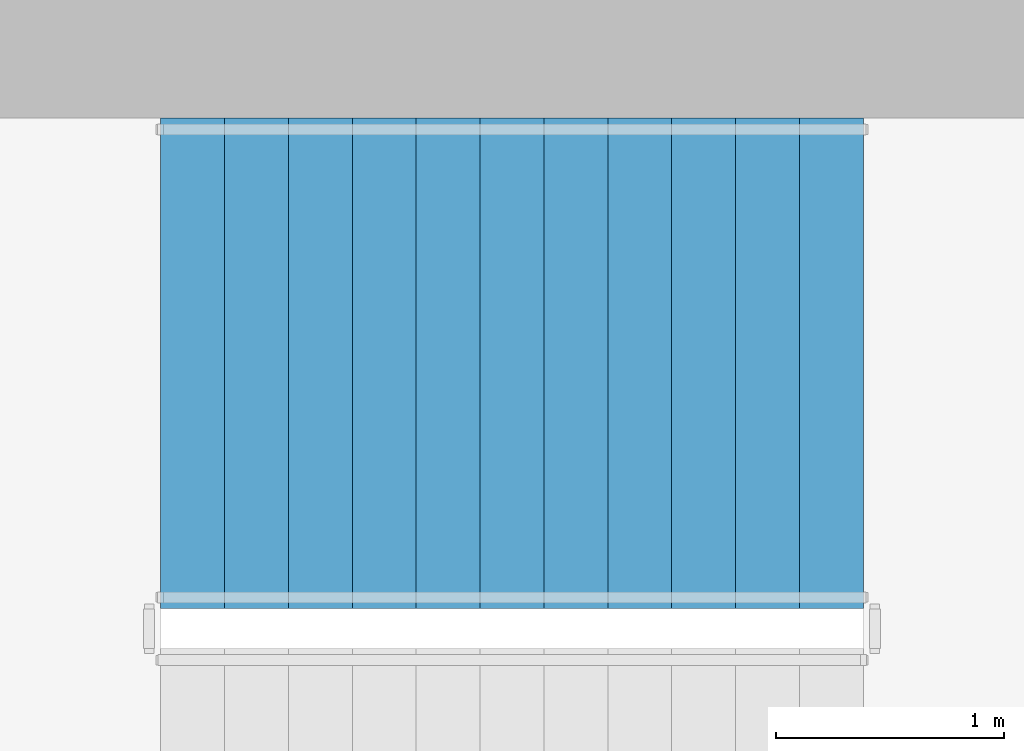
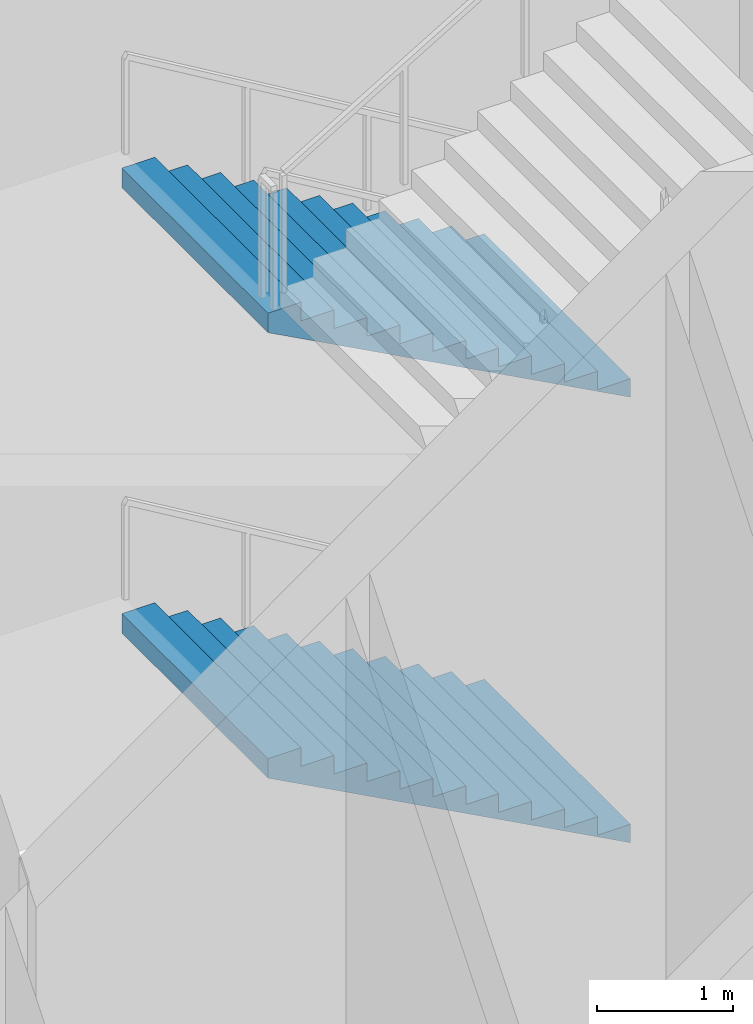
# One storey, part 10 of 14: 2 stair flights, 1 element without a shape of its own.
"""IFC4 building model written with IfcOpenShell, lengths in metres."""

import ifcopenshell
import ifcopenshell.guid

model = None  # the IFC model being written
_history = None  # IfcOwnerHistory: only IFC2X3 demands one
_inside = {}  # id of a spatial element -> (the spatial element, [elements in it])
_under = {}  # id of a project, library or spatial element -> (it, [spatial elements below it])
_declared = {}  # id of a project -> (the project, [libraries it declares])
_typed = {}  # id of a type object -> (the type object, [elements of that type])
_made_of = {}  # id of a material, layer set ... -> (it, [elements and type objects made of it])


def new_model(schema):
    """Start an empty IFC model of exactly this schema.

    Asked for "IFC4X3", IfcOpenShell would pick the latest addendum, in which some entities
    have other attributes; the version numbers below select the first issue.
    IFC2X3 requires an IfcOwnerHistory on every rooted entity: one is made here for all.
    """
    global model, _history
    if schema == "IFC4X3":
        model = ifcopenshell.file(schema_version=(4, 3, 0, 0))
    else:
        model = ifcopenshell.file(schema=schema)
    _inside.clear()
    _under.clear()
    _declared.clear()
    _typed.clear()
    _made_of.clear()
    _history = None
    if model.schema == "IFC2X3":
        org = make("IfcOrganization", Name="unknown")
        user = make(
            "IfcPersonAndOrganization",
            ThePerson=make("IfcPerson", FamilyName="unknown"),
            TheOrganization=org,
        )
        app = make(
            "IfcApplication",
            ApplicationDeveloper=org,
            Version="unknown",
            ApplicationFullName="unknown",
            ApplicationIdentifier="unknown",
        )
        _history = make(
            "IfcOwnerHistory",
            OwningUser=user,
            OwningApplication=app,
            ChangeAction="ADDED",
            CreationDate=0,
        )
    return model


def make(cls, **values):
    """One entity of the class cls with the attributes given. An attribute that is None is left unset."""
    return model.create_entity(
        cls, **{name: value for name, value in values.items() if value is not None}
    )


def rooted(cls, **values):
    """An entity with a GlobalId (a new one), such as an element, a storey or a relation."""
    return make(cls, GlobalId=ifcopenshell.guid.new(), OwnerHistory=_history, **values)


def si_unit(unit_type, name, prefix=None):
    """IfcSIUnit, for example si_unit("LENGTHUNIT", "METRE", prefix="MILLI")."""
    return make("IfcSIUnit", UnitType=unit_type, Prefix=prefix, Name=name)


def assignment(units):
    """IfcUnitAssignment: the units of a project."""
    return None if units is None else make("IfcUnitAssignment", Units=units)


def point(xyz):
    """IfcCartesianPoint."""
    return None if xyz is None else make("IfcCartesianPoint", Coordinates=xyz)


def direction(xyz):
    """IfcDirection."""
    return None if xyz is None else make("IfcDirection", DirectionRatios=xyz)


def frame(location, z_axis=None, x_axis=None):
    """IfcAxis2Placement3D, a coordinate frame: its origin and axes. An axis left out is left unset."""
    return make(
        "IfcAxis2Placement3D",
        Location=point(location),
        Axis=direction(z_axis),
        RefDirection=direction(x_axis),
    )


def origin():
    """The frame at (0, 0, 0) with its axes left unset."""
    return frame((0.0, 0.0, 0.0))


def place(relative_to, where):
    """IfcLocalPlacement: puts the frame where relative to a parent placement (None: the world)."""
    return make(
        "IfcLocalPlacement", PlacementRelTo=relative_to, RelativePlacement=where
    )


def context(
    kind, dimensions, precision=None, world=None, true_north=None, identifier=None
):
    """IfcGeometricRepresentationContext, for example the 3D "Model" context."""
    return make(
        "IfcGeometricRepresentationContext",
        ContextIdentifier=identifier,
        ContextType=kind,
        CoordinateSpaceDimension=dimensions,
        Precision=precision,
        WorldCoordinateSystem=world,
        TrueNorth=true_north,
    )


def subcontext(parent, identifier, kind, view, scale=None):
    """IfcGeometricRepresentationSubContext, for example "Body" below "Model"."""
    return make(
        "IfcGeometricRepresentationSubContext",
        ContextIdentifier=identifier,
        ContextType=kind,
        ParentContext=parent,
        TargetScale=scale,
        TargetView=view,
    )


def project(units=None, contexts=None):
    """IfcProject with its units and contexts."""
    return rooted(
        "IfcProject",
        Name="project",
        RepresentationContexts=contexts,
        UnitsInContext=assignment(units),
    )


def spatial(cls, under=None, at=None, **own):
    """A site, building, storey or space (cls), placed at a placement, below another one or the project."""
    s = rooted(cls, ObjectPlacement=at, **own)
    if under is not None:
        _under.setdefault(under.id(), (under, []))[1].append(s)
    return s


def point_list(points):
    """IfcCartesianPointList2D or 3D."""
    cls = (
        "IfcCartesianPointList2D" if len(points[0]) == 2 else "IfcCartesianPointList3D"
    )
    return make(cls, CoordList=points)


def triangles(points, corners, closed=None, point_numbers=None):
    """IfcTriangulatedFaceSet: each triangle names its three corners, points numbered from 1."""
    return make(
        "IfcTriangulatedFaceSet",
        Coordinates=point_list(points),
        Closed=closed,
        CoordIndex=corners,
        PnIndex=point_numbers,
    )


def shape(context_of_items, identifier, shape_type, items):
    """IfcShapeRepresentation: the items that make up one representation, for example the "Body"."""
    return make(
        "IfcShapeRepresentation",
        ContextOfItems=context_of_items,
        RepresentationIdentifier=identifier,
        RepresentationType=shape_type,
        Items=items,
    )


def material(Name=None, Category=None):
    """IfcMaterial."""
    return make("IfcMaterial", Name=Name, Category=Category)


def made_of(thing, what):
    """Note that an element or type object is made of a material, layer set ...; save() writes the relation."""
    if what is not None:
        _made_of.setdefault(what.id(), (what, []))[1].append(thing)
    return thing


def type_object(cls, material=None, **own):
    """A type object (cls), such as IfcWallType, which elements share."""
    return made_of(rooted(cls, **own), material)


def element(
    cls,
    number,
    at=None,
    inside=None,
    cuts=None,
    type_object=None,
    material=None,
    context=None,
    identifier="Body",
    shape_type=None,
    held_by="IfcProductDefinitionShape",
    body=None,
    shapes=None,
    **own,
):
    """One element of the class cls, such as IfcWall. Its Tag is "e" and its number.

    at: its placement. inside: the storey or other place that contains it. cuts: it is an
    opening in that element (IfcRelVoidsElement). A single representation is given by context,
    identifier, shape_type and body (its items); several are given by shapes. held_by: the class
    of the entity that holds the representations. save() writes the other relations.
    """
    e = rooted(cls, Tag="e%d" % number, ObjectPlacement=at, **own)
    if body is not None:
        shapes = [shape(context, identifier, shape_type, body)]
    if shapes is not None:
        e.Representation = make(held_by, Representations=shapes)
    if inside is not None:
        _inside.setdefault(inside.id(), (inside, []))[1].append(e)
    if cuts is not None:
        rooted(
            "IfcRelVoidsElement", RelatingBuildingElement=cuts, RelatedOpeningElement=e
        )
    if type_object is not None:
        _typed.setdefault(type_object.id(), (type_object, []))[1].append(e)
    return made_of(e, material)


def aggregate(whole, parts):
    """IfcRelAggregates: a whole, such as a stair, and the parts it consists of."""
    return rooted("IfcRelAggregates", RelatingObject=whole, RelatedObjects=parts)


def save(model, path):
    """Write the relations noted so far, then the file.

    IfcRelAggregates (storeys below a building ...), IfcRelContainedInSpatialStructure (elements
    in a storey), IfcRelDefinesByType, IfcRelAssociatesMaterial and IfcRelDeclares: one each for
    every whole, place, type object, material and project.
    """
    for whole, parts in _under.values():
        aggregate(whole, parts)
    for where, things in _inside.values():
        rooted(
            "IfcRelContainedInSpatialStructure",
            RelatedElements=things,
            RelatingStructure=where,
        )
    for kind, things in _typed.values():
        rooted("IfcRelDefinesByType", RelatedObjects=things, RelatingType=kind)
    for what, things in _made_of.values():
        rooted("IfcRelAssociatesMaterial", RelatedObjects=things, RelatingMaterial=what)
    for by, libraries in _declared.values():
        rooted("IfcRelDeclares", RelatingContext=by, RelatedDefinitions=libraries)
    model.write(path)


model = new_model("IFC4")

# Units and contexts
model_context = context("Model", 3, precision=1e-05, world=origin(), true_north=direction((0.0, 1.0)))
body_context = subcontext(model_context, "Body", "Model", "MODEL_VIEW")
ifc_project = project(units=[si_unit("LENGTHUNIT", "METRE"), si_unit("AREAUNIT", "SQUARE_METRE"), si_unit("VOLUMEUNIT", "CUBIC_METRE"), si_unit("PLANEANGLEUNIT", "RADIAN"), si_unit("MASSUNIT", "GRAM", prefix="KILO")], contexts=[model_context])

# Site, building, storey
site_placement = place(None, origin())
site = spatial("IfcSite", under=ifc_project, at=site_placement, CompositionType="ELEMENT")
building_placement = place(site_placement, origin())
building = spatial("IfcBuilding", under=site, at=building_placement, Name="Cypress Arch Tower", CompositionType="ELEMENT")
storey_placement = place(building_placement, frame((0.0, 0.0, 152.5)))
storey = spatial("IfcBuildingStorey", under=building, at=storey_placement, Name="L33", CompositionType="ELEMENT", Elevation=152.5)

# Stair, stair flights
ifc_material_1 = material(Name="Concrete C40/50", Category="concrete")
stair_type = type_object("IfcStairType", Name="Exit stair ES1667-215", PredefinedType="HALF_TURN_STAIR", material=ifc_material_1)
stair_placement = place(storey_placement, origin())
stair = element("IfcStair", 1, at=stair_placement, inside=storey, type_object=stair_type, Name="L33 Exit stair B", PredefinedType="HALF_TURN_STAIR")
ifc_material_2 = material(Name="Concrete C40/50", Category="concrete")
stair_flight_type = type_object("IfcStairFlightType", Name="Exit stair flight ES1667-215", PredefinedType="STRAIGHT", material=ifc_material_2)
stair_flight_1_placement = place(storey_placement, frame((-22.27490234375, 13.72509765625, 0.0), z_axis=(0.0, 0.0, 1.0), x_axis=(-1.0, 0.0, 0.0)))
stair_flight_1 = element("IfcStairFlight", 2, at=stair_flight_1_placement, type_object=stair_flight_type, Name="B flight 1", NumberOfRisers=12, NumberOfTreads=11, PredefinedType="STRAIGHT", RiserHeight=0.166666667, TreadLength=0.28, context=body_context, shape_type="Tessellation", body=[
    triangles([(0.0, -1.074951171875, 0.0), (0.000244140625, -1.074951171875, 0.0185546875), (0.000244140625, -1.074951171875, 0.037109375), (0.00048828125, -1.074951171875, 0.0556640625), (0.00048828125, -1.074951171875, 0.07421875), (0.00048828125, -1.074951171875, 0.092529296875), (0.00048828125, -1.074951171875, 0.111083984375), (0.000244140625, -1.074951171875, 0.129638671875), (0.000244140625, -1.074951171875, 0.148193359375), (0.0, -1.074951171875, 0.166748046875), (0.280029296875, -1.074951171875, 0.166748046875), (0.280029296875, -1.074951171875, 0.333251953125), (0.56005859375, -1.074951171875, 0.333251953125), (0.56005859375, -1.074951171875, 0.5), (0.840087890625, -1.074951171875, 0.5), (0.840087890625, -1.074951171875, 0.666748046875), (1.1201171875, -1.074951171875, 0.666748046875), (1.1201171875, -1.074951171875, 0.833251953125), (1.39990234375, -1.074951171875, 0.833251953125), (1.39990234375, -1.074951171875, 1.0), (1.679931640625, -1.074951171875, 1.0), (1.679931640625, -1.074951171875, 1.166748046875), (1.9599609375, -1.074951171875, 1.166748046875), (1.9599609375, -1.074951171875, 1.333251953125), (2.239990234375, -1.074951171875, 1.333251953125), (2.239990234375, -1.074951171875, 1.5), (2.52001953125, -1.074951171875, 1.5), (2.52001953125, -1.074951171875, 1.666748046875), (2.800048828125, -1.074951171875, 1.666748046875), (2.800048828125, -1.074951171875, 1.833251953125), (3.080078125, -1.074951171875, 1.833251953125), (3.079833984375, -1.074951171875, 1.81396484375), (3.079833984375, -1.074951171875, 1.79443359375), (3.07958984375, -1.074951171875, 1.775146484375), (3.07958984375, -1.074951171875, 1.755859375), (3.07958984375, -1.074951171875, 1.736328125), (3.07958984375, -1.074951171875, 1.717041015625), (3.079833984375, -1.074951171875, 1.69775390625), (3.079833984375, -1.074951171875, 1.67822265625), (3.080078125, -1.074951171875, 1.658935546875), (3.080078125, 1.074951171875, 1.658935546875), (3.079833984375, 1.074951171875, 1.67822265625), (3.079833984375, 1.074951171875, 1.69775390625), (3.07958984375, 1.074951171875, 1.717041015625), (3.07958984375, 1.074951171875, 1.736328125), (3.07958984375, 1.074951171875, 1.755859375), (3.07958984375, 1.074951171875, 1.775146484375), (3.079833984375, 1.074951171875, 1.79443359375), (3.079833984375, 1.074951171875, 1.81396484375), (3.080078125, 1.074951171875, 1.833251953125), (2.800048828125, 1.074951171875, 1.833251953125), (2.800048828125, 1.074951171875, 1.666748046875), (2.52001953125, 1.074951171875, 1.666748046875), (2.52001953125, 1.074951171875, 1.5), (2.239990234375, 1.074951171875, 1.5), (2.239990234375, 1.074951171875, 1.333251953125), (1.9599609375, 1.074951171875, 1.333251953125), (1.9599609375, 1.074951171875, 1.166748046875), (1.679931640625, 1.074951171875, 1.166748046875), (1.679931640625, 1.074951171875, 1.0), (1.39990234375, 1.074951171875, 1.0), (1.39990234375, 1.074951171875, 0.833251953125), (1.1201171875, 1.074951171875, 0.833251953125), (1.1201171875, 1.074951171875, 0.666748046875), (0.840087890625, 1.074951171875, 0.666748046875), (0.840087890625, 1.074951171875, 0.5), (0.56005859375, 1.074951171875, 0.5), (0.56005859375, 1.074951171875, 0.333251953125), (0.280029296875, 1.074951171875, 0.333251953125), (0.280029296875, 1.074951171875, 0.166748046875), (0.0, 1.074951171875, 0.166748046875), (0.000244140625, 1.074951171875, 0.148193359375), (0.000244140625, 1.074951171875, 0.129638671875), (0.00048828125, 1.074951171875, 0.111083984375), (0.00048828125, 1.074951171875, 0.092529296875), (0.00048828125, 1.074951171875, 0.07421875), (0.00048828125, 1.074951171875, 0.0556640625), (0.000244140625, 1.074951171875, 0.037109375), (0.000244140625, 1.074951171875, 0.0185546875), (0.0, 1.074951171875, 0.0)], [[40, 39, 30], [39, 38, 30], [38, 37, 30], [37, 36, 30], [36, 35, 30], [35, 34, 30], [34, 33, 30], [33, 32, 30], [32, 31, 30], [29, 28, 27], [27, 26, 25], [23, 22, 21], [21, 20, 19], [17, 16, 15], [15, 14, 13], [10, 9, 11], [9, 8, 11], [8, 7, 11], [7, 6, 11], [6, 5, 11], [5, 4, 11], [4, 3, 11], [3, 2, 11], [2, 1, 11], [19, 18, 17], [25, 24, 23], [13, 12, 11], [40, 30, 29], [40, 29, 27], [40, 27, 25], [40, 25, 23], [40, 23, 21], [40, 21, 19], [40, 19, 17], [40, 17, 15], [40, 15, 13], [1, 40, 13], [13, 11, 1], [41, 51, 42], [42, 51, 43], [43, 51, 44], [44, 51, 45], [45, 51, 46], [46, 51, 47], [47, 51, 48], [48, 51, 49], [49, 51, 50], [52, 54, 53], [54, 56, 55], [58, 60, 59], [60, 62, 61], [64, 66, 65], [66, 68, 67], [71, 70, 72], [72, 70, 73], [73, 70, 74], [74, 70, 75], [75, 70, 76], [76, 70, 77], [77, 70, 78], [78, 70, 79], [79, 70, 80], [62, 64, 63], [56, 58, 57], [68, 70, 69], [41, 52, 51], [41, 54, 52], [41, 56, 54], [41, 58, 56], [41, 60, 58], [41, 62, 60], [41, 64, 62], [41, 66, 64], [41, 68, 66], [80, 68, 41], [68, 80, 70], [41, 42, 39], [41, 39, 40], [42, 43, 38], [42, 38, 39], [43, 44, 37], [43, 37, 38], [44, 45, 36], [44, 36, 37], [45, 46, 35], [45, 35, 36], [46, 47, 34], [46, 34, 35], [47, 48, 33], [47, 33, 34], [48, 49, 32], [48, 32, 33], [49, 50, 31], [49, 31, 32], [50, 51, 30], [50, 30, 31], [51, 52, 29], [51, 29, 30], [52, 53, 28], [52, 28, 29], [53, 54, 27], [53, 27, 28], [54, 55, 26], [54, 26, 27], [55, 56, 25], [55, 25, 26], [56, 57, 24], [56, 24, 25], [57, 58, 23], [57, 23, 24], [58, 59, 22], [58, 22, 23], [59, 60, 21], [59, 21, 22], [60, 61, 20], [60, 20, 21], [61, 62, 19], [61, 19, 20], [62, 63, 18], [62, 18, 19], [63, 64, 17], [63, 17, 18], [64, 65, 16], [64, 16, 17], [65, 66, 15], [65, 15, 16], [66, 67, 14], [66, 14, 15], [67, 68, 13], [67, 13, 14], [68, 69, 12], [68, 12, 13], [69, 70, 11], [69, 11, 12], [70, 71, 10], [70, 10, 11], [71, 72, 9], [71, 9, 10], [72, 73, 8], [72, 8, 9], [73, 74, 7], [73, 7, 8], [74, 75, 6], [74, 6, 7], [75, 76, 5], [75, 5, 6], [76, 77, 4], [76, 4, 5], [77, 78, 3], [77, 3, 4], [78, 79, 2], [78, 2, 3], [79, 80, 1], [79, 1, 2], [80, 41, 40], [80, 40, 1]], closed=True),
])
stair_flight_2_placement = place(storey_placement, frame((-22.27490234375, 13.72509765625, 4.0), z_axis=(0.0, 0.0, 1.0), x_axis=(-1.0, 0.0, 0.0)))
stair_flight_2 = element("IfcStairFlight", 3, at=stair_flight_2_placement, type_object=stair_flight_type, Name="B flight 3", NumberOfRisers=12, NumberOfTreads=11, PredefinedType="STRAIGHT", RiserHeight=0.166666667, TreadLength=0.28, context=body_context, shape_type="Tessellation", body=[
    triangles([(0.0, -1.074951171875, 0.0), (0.000244140625, -1.074951171875, 0.0185546875), (0.000244140625, -1.074951171875, 0.037109375), (0.00048828125, -1.074951171875, 0.0556640625), (0.00048828125, -1.074951171875, 0.07421875), (0.00048828125, -1.074951171875, 0.092529296875), (0.00048828125, -1.074951171875, 0.111083984375), (0.000244140625, -1.074951171875, 0.129638671875), (0.000244140625, -1.074951171875, 0.148193359375), (0.0, -1.074951171875, 0.166748046875), (0.280029296875, -1.074951171875, 0.166748046875), (0.280029296875, -1.074951171875, 0.333251953125), (0.56005859375, -1.074951171875, 0.333251953125), (0.56005859375, -1.074951171875, 0.5), (0.840087890625, -1.074951171875, 0.5), (0.840087890625, -1.074951171875, 0.666748046875), (1.1201171875, -1.074951171875, 0.666748046875), (1.1201171875, -1.074951171875, 0.833251953125), (1.39990234375, -1.074951171875, 0.833251953125), (1.39990234375, -1.074951171875, 1.0), (1.679931640625, -1.074951171875, 1.0), (1.679931640625, -1.074951171875, 1.166748046875), (1.9599609375, -1.074951171875, 1.166748046875), (1.9599609375, -1.074951171875, 1.333251953125), (2.239990234375, -1.074951171875, 1.333251953125), (2.239990234375, -1.074951171875, 1.5), (2.52001953125, -1.074951171875, 1.5), (2.52001953125, -1.074951171875, 1.666748046875), (2.800048828125, -1.074951171875, 1.666748046875), (2.800048828125, -1.074951171875, 1.833251953125), (3.080078125, -1.074951171875, 1.833251953125), (3.079833984375, -1.074951171875, 1.81396484375), (3.079833984375, -1.074951171875, 1.79443359375), (3.07958984375, -1.074951171875, 1.775146484375), (3.07958984375, -1.074951171875, 1.755859375), (3.07958984375, -1.074951171875, 1.736328125), (3.07958984375, -1.074951171875, 1.717041015625), (3.079833984375, -1.074951171875, 1.69775390625), (3.079833984375, -1.074951171875, 1.67822265625), (3.080078125, -1.074951171875, 1.658935546875), (3.080078125, 1.074951171875, 1.658935546875), (3.079833984375, 1.074951171875, 1.67822265625), (3.079833984375, 1.074951171875, 1.69775390625), (3.07958984375, 1.074951171875, 1.717041015625), (3.07958984375, 1.074951171875, 1.736328125), (3.07958984375, 1.074951171875, 1.755859375), (3.07958984375, 1.074951171875, 1.775146484375), (3.079833984375, 1.074951171875, 1.79443359375), (3.079833984375, 1.074951171875, 1.81396484375), (3.080078125, 1.074951171875, 1.833251953125), (2.800048828125, 1.074951171875, 1.833251953125), (2.800048828125, 1.074951171875, 1.666748046875), (2.52001953125, 1.074951171875, 1.666748046875), (2.52001953125, 1.074951171875, 1.5), (2.239990234375, 1.074951171875, 1.5), (2.239990234375, 1.074951171875, 1.333251953125), (1.9599609375, 1.074951171875, 1.333251953125), (1.9599609375, 1.074951171875, 1.166748046875), (1.679931640625, 1.074951171875, 1.166748046875), (1.679931640625, 1.074951171875, 1.0), (1.39990234375, 1.074951171875, 1.0), (1.39990234375, 1.074951171875, 0.833251953125), (1.1201171875, 1.074951171875, 0.833251953125), (1.1201171875, 1.074951171875, 0.666748046875), (0.840087890625, 1.074951171875, 0.666748046875), (0.840087890625, 1.074951171875, 0.5), (0.56005859375, 1.074951171875, 0.5), (0.56005859375, 1.074951171875, 0.333251953125), (0.280029296875, 1.074951171875, 0.333251953125), (0.280029296875, 1.074951171875, 0.166748046875), (0.0, 1.074951171875, 0.166748046875), (0.000244140625, 1.074951171875, 0.148193359375), (0.000244140625, 1.074951171875, 0.129638671875), (0.00048828125, 1.074951171875, 0.111083984375), (0.00048828125, 1.074951171875, 0.092529296875), (0.00048828125, 1.074951171875, 0.07421875), (0.00048828125, 1.074951171875, 0.0556640625), (0.000244140625, 1.074951171875, 0.037109375), (0.000244140625, 1.074951171875, 0.0185546875), (0.0, 1.074951171875, 0.0)], [[40, 39, 30], [39, 38, 30], [38, 37, 30], [37, 36, 30], [36, 35, 30], [35, 34, 30], [34, 33, 30], [33, 32, 30], [32, 31, 30], [29, 28, 27], [27, 26, 25], [23, 22, 21], [21, 20, 19], [17, 16, 15], [15, 14, 13], [10, 9, 11], [9, 8, 11], [8, 7, 11], [7, 6, 11], [6, 5, 11], [5, 4, 11], [4, 3, 11], [3, 2, 11], [2, 1, 11], [19, 18, 17], [25, 24, 23], [13, 12, 11], [40, 30, 29], [40, 29, 27], [40, 27, 25], [40, 25, 23], [40, 23, 21], [40, 21, 19], [40, 19, 17], [40, 17, 15], [40, 15, 13], [1, 40, 13], [13, 11, 1], [41, 51, 42], [42, 51, 43], [43, 51, 44], [44, 51, 45], [45, 51, 46], [46, 51, 47], [47, 51, 48], [48, 51, 49], [49, 51, 50], [52, 54, 53], [54, 56, 55], [58, 60, 59], [60, 62, 61], [64, 66, 65], [66, 68, 67], [71, 70, 72], [72, 70, 73], [73, 70, 74], [74, 70, 75], [75, 70, 76], [76, 70, 77], [77, 70, 78], [78, 70, 79], [79, 70, 80], [62, 64, 63], [56, 58, 57], [68, 70, 69], [41, 52, 51], [41, 54, 52], [41, 56, 54], [41, 58, 56], [41, 60, 58], [41, 62, 60], [41, 64, 62], [41, 66, 64], [41, 68, 66], [80, 68, 41], [68, 80, 70], [41, 42, 39], [41, 39, 40], [42, 43, 38], [42, 38, 39], [43, 44, 37], [43, 37, 38], [44, 45, 36], [44, 36, 37], [45, 46, 35], [45, 35, 36], [46, 47, 34], [46, 34, 35], [47, 48, 33], [47, 33, 34], [48, 49, 32], [48, 32, 33], [49, 50, 31], [49, 31, 32], [50, 51, 30], [50, 30, 31], [51, 52, 29], [51, 29, 30], [52, 53, 28], [52, 28, 29], [53, 54, 27], [53, 27, 28], [54, 55, 26], [54, 26, 27], [55, 56, 25], [55, 25, 26], [56, 57, 24], [56, 24, 25], [57, 58, 23], [57, 23, 24], [58, 59, 22], [58, 22, 23], [59, 60, 21], [59, 21, 22], [60, 61, 20], [60, 20, 21], [61, 62, 19], [61, 19, 20], [62, 63, 18], [62, 18, 19], [63, 64, 17], [63, 17, 18], [64, 65, 16], [64, 16, 17], [65, 66, 15], [65, 15, 16], [66, 67, 14], [66, 14, 15], [67, 68, 13], [67, 13, 14], [68, 69, 12], [68, 12, 13], [69, 70, 11], [69, 11, 12], [70, 71, 10], [70, 10, 11], [71, 72, 9], [71, 9, 10], [72, 73, 8], [72, 8, 9], [73, 74, 7], [73, 7, 8], [74, 75, 6], [74, 6, 7], [75, 76, 5], [75, 5, 6], [76, 77, 4], [76, 4, 5], [77, 78, 3], [77, 3, 4], [78, 79, 2], [78, 2, 3], [79, 80, 1], [79, 1, 2], [80, 41, 40], [80, 40, 1]], closed=True),
])
aggregate(stair, [stair_flight_1, stair_flight_2])

save(model, "model.ifc")
